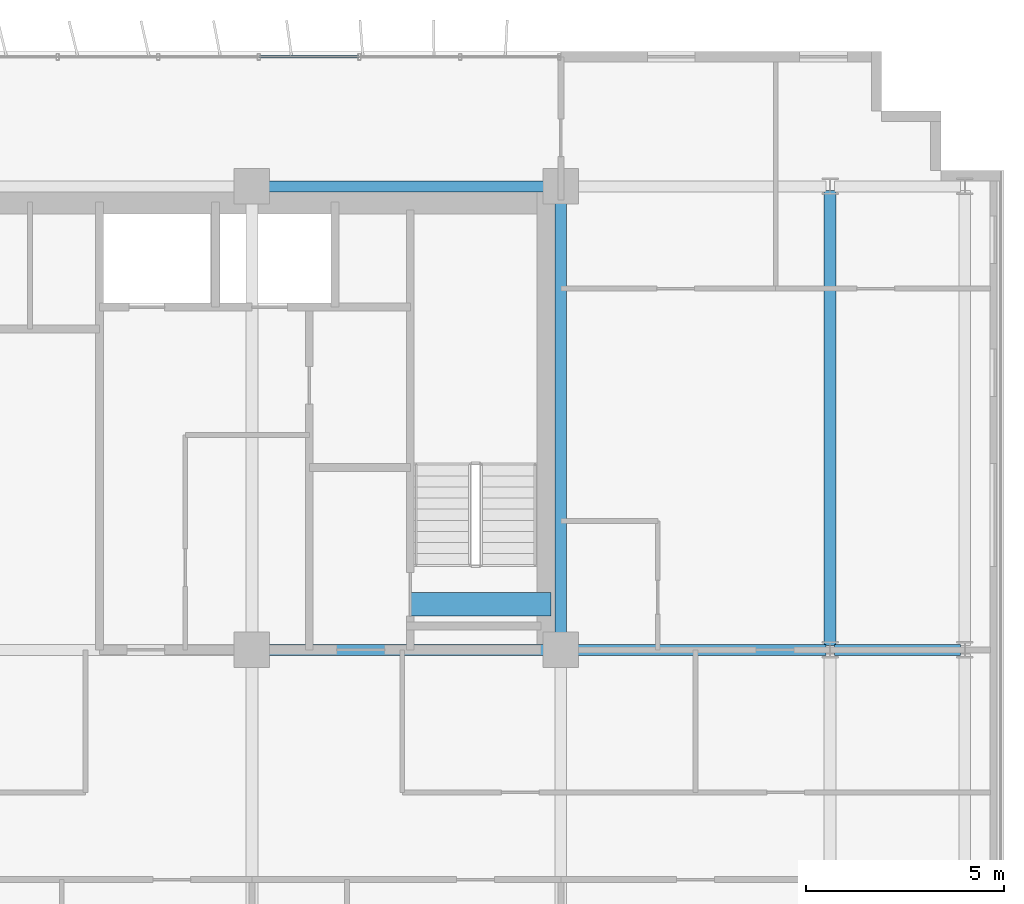
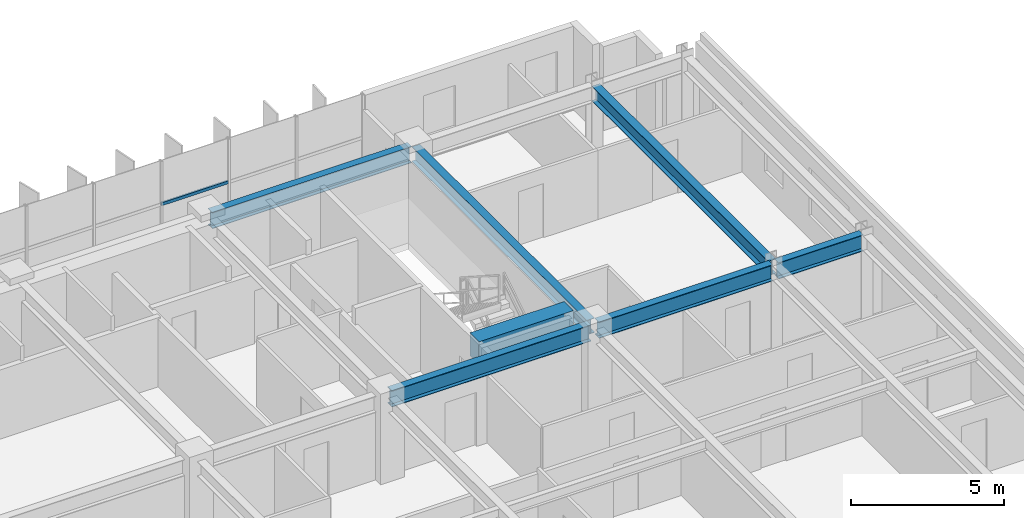
# One storey, part 11 of 24: 7 beams, 1 member, 1 element without a shape of its own.
"""IFC4 building model written with IfcOpenShell, lengths in metres."""

from ifc_helpers import new_model, si_unit, direction, frame, origin, origin_2d, place, context, subcontext, project, spatial, rectangle, hollow_rectangle, i_section, extrude, source, transform, mapped, material, material_profile, profile_set, type_object, element, aggregate, save


model = new_model("IFC4")

# Units and contexts
model_context = context("Model", 3, precision=1e-05, world=origin(), true_north=direction((0.0, 1.0)))
body_context = subcontext(model_context, "Body", "Model", "MODEL_VIEW")
ifc_project = project(units=[si_unit("LENGTHUNIT", "METRE"), si_unit("AREAUNIT", "SQUARE_METRE"), si_unit("VOLUMEUNIT", "CUBIC_METRE"), si_unit("PLANEANGLEUNIT", "RADIAN"), si_unit("MASSUNIT", "GRAM", prefix="KILO")], contexts=[model_context])

# Site, building, storey
site_placement = place(None, origin())
site = spatial("IfcSite", under=ifc_project, at=site_placement, CompositionType="ELEMENT")
building_placement = place(site_placement, origin())
building = spatial("IfcBuilding", under=site, at=building_placement, Name="Trelvane Seafront Commons", CompositionType="ELEMENT")
storey_placement = place(building_placement, frame((0.0, 0.0, 27.10009765625)))
storey = spatial("IfcBuildingStorey", under=building, at=storey_placement, Name="L06", CompositionType="ELEMENT", Elevation=27.10009765625)

# Beams
ifc_material_1 = material(Name="Concrete C60/75", Category="concrete")
ifc_material_profile_1 = material_profile(ifc_material_1, rectangle(XDim=0.60009765625, YDim=0.89990234375, at=origin_2d()), Name="RC-600x900")
ifc_profile_set_1 = profile_set([ifc_material_profile_1], Name="Concrete C60/75")
beam_type_1 = type_object("IfcBeamType", Name="STR-LNT-RC600x900", PredefinedType="LINTEL", material=ifc_profile_set_1)
shared_shape_1 = source(origin(), body_context, "Body", "SweptSolid", [
    extrude(rectangle(XDim=0.60009765625, YDim=0.89990234375, at=origin_2d()), origin(), (0.0, 0.0, 1.0), 3.550048828125),
])
beam_1_placement = place(storey_placement, frame((55.0, 34.550048828125, 2.889892578125), z_axis=(1.0, 0.0, 0.0), x_axis=(0.0, 1.0, 0.0)))
element("IfcBeam", 1, at=beam_1_placement, inside=storey, type_object=beam_type_1, Name="L06 Core Coupling Lintel Beam CB-86", PredefinedType="LINTEL", context=body_context, shape_type="MappedRepresentation", body=[
    mapped(shared_shape_1, transform((0.0, 0.0, 0.0), x_axis=(1.0, 0.0, 0.0), y_axis=(0.0, 1.0, 0.0), z_axis=(0.0, 0.0, 1.0), scale=1.0)),
])
ifc_material_2 = material(Name="Steel SM355 (S355)", Category="steel")
ifc_material_profile_2 = material_profile(ifc_material_2, i_section(OverallWidth=0.280029296875, OverallDepth=0.64990234375, WebThickness=0.012939453125, FlangeThickness=0.02197265625, at=origin_2d()), Name="H-650x280x13x22")
ifc_profile_set_2 = profile_set([ifc_material_profile_2], Name="Steel SM355 (S355)")
beam_type_2 = type_object("IfcBeamType", Name="STR-BM-H650", PredefinedType="BEAM", material=ifc_profile_set_2)
shared_shape_2 = source(origin(), body_context, "Body", "SweptSolid", [
    extrude(i_section(OverallWidth=0.280029296875, OverallDepth=0.64990234375, WebThickness=0.012939453125, FlangeThickness=0.02197265625, at=origin_2d()), origin(), (0.0, 0.0, 1.0), 3.18994140625),
])
beam_2_placement = place(storey_placement, frame((65.705078125, 33.39990234375, 3.014892578125), z_axis=(1.0, 0.0, 0.0), x_axis=(0.0, 1.0, 0.0)))
element("IfcBeam", 2, at=beam_2_placement, inside=storey, type_object=beam_type_2, Name="L06 Primary Girder G-27", PredefinedType="BEAM", context=body_context, shape_type="MappedRepresentation", body=[
    mapped(shared_shape_2, transform((0.0, 0.0, 0.0), x_axis=(1.0, 0.0, 0.0), y_axis=(0.0, 1.0, 0.0), z_axis=(0.0, 0.0, 1.0), scale=1.0)),
])
shared_shape_3 = source(origin(), body_context, "Body", "SweptSolid", [
    extrude(i_section(OverallWidth=0.280029296875, OverallDepth=0.64990234375, WebThickness=0.012939453125, FlangeThickness=0.02197265625, at=origin_2d()), origin(), (0.0, 0.0, 1.0), 6.545166015625),
])
beam_3_placement = place(storey_placement, frame((58.949951171875, 33.39990234375, 3.014892578125), z_axis=(1.0, 0.0, 0.0), x_axis=(0.0, 1.0, 0.0)))
element("IfcBeam", 3, at=beam_3_placement, inside=storey, type_object=beam_type_2, Name="L06 Primary Girder G-26", PredefinedType="BEAM", context=body_context, shape_type="MappedRepresentation", body=[
    mapped(shared_shape_3, transform((0.0, 0.0, 0.0), x_axis=(1.0, 0.0, 0.0), y_axis=(0.0, 1.0, 0.0), z_axis=(0.0, 0.0, 1.0), scale=1.0)),
])
shared_shape_4 = source(origin(), body_context, "Body", "SweptSolid", [
    extrude(i_section(OverallWidth=0.280029296875, OverallDepth=0.64990234375, WebThickness=0.012939453125, FlangeThickness=0.02197265625, at=origin_2d()), origin(), (0.0, 0.0, 1.0), 7.5),
])
for number, where, z_axis, x_axis, name in (
    (4, (51.14990234375, 33.39990234375, 3.014892578125), (1.0, 0.0, 0.0), (0.0, 1.0, 0.0), "L06 Primary Girder G-25"),
    (5, (51.14990234375, 45.10009765625, 3.014892578125), (1.0, 0.0, 0.0), (0.0, 1.0, 0.0), "L06 Primary Girder G-34"),
):
    element("IfcBeam", number, at=place(storey_placement, frame(where, z_axis=z_axis, x_axis=x_axis)), inside=storey, type_object=beam_type_2, Name=name, PredefinedType="BEAM", context=body_context, shape_type="MappedRepresentation", body=[
        mapped(shared_shape_4, transform((0.0, 0.0, 0.0), x_axis=(1.0, 0.0, 0.0), y_axis=(0.0, 1.0, 0.0), z_axis=(0.0, 0.0, 1.0), scale=1.0)),
    ])
ifc_material_profile_3 = material_profile(ifc_material_2, i_section(OverallWidth=0.300048828125, OverallDepth=0.587890625, WebThickness=0.011962890625, FlangeThickness=0.02001953125, at=origin_2d()), Name="H-588x300x12x20")
ifc_profile_set_3 = profile_set([ifc_material_profile_3], Name="Steel SM355 (S355)")
beam_type_3 = type_object("IfcBeamType", Name="STR-BM-H588", PredefinedType="BEAM", material=ifc_profile_set_3)
shared_shape_5 = source(origin(), body_context, "Body", "SweptSolid", [
    extrude(i_section(OverallWidth=0.300048828125, OverallDepth=0.587890625, WebThickness=0.011962890625, FlangeThickness=0.02001953125, at=origin_2d()), origin(), (0.0, 0.0, 1.0), 11.490234375),
])
beam_4_placement = place(storey_placement, frame((65.60009765625, 33.5048828125, 3.0458984375), z_axis=(0.0, 1.0, 0.0), x_axis=(-1.0, 0.0, 0.0)))
element("IfcBeam", 6, at=beam_4_placement, inside=storey, type_object=beam_type_3, Name="L06 Primary Girder G-63", PredefinedType="BEAM", context=body_context, shape_type="MappedRepresentation", body=[
    mapped(shared_shape_5, transform((0.0, 0.0, 0.0), x_axis=(1.0, 0.0, 0.0), y_axis=(0.0, 1.0, 0.0), z_axis=(0.0, 0.0, 1.0), scale=1.0)),
])
shared_shape_6 = source(origin(), body_context, "Body", "SweptSolid", [
    extrude(i_section(OverallWidth=0.300048828125, OverallDepth=0.587890625, WebThickness=0.011962890625, FlangeThickness=0.02001953125, at=origin_2d()), origin(), (0.0, 0.0, 1.0), 11.39990234375),
])
beam_5_placement = place(storey_placement, frame((58.800048828125, 33.550048828125, 3.0458984375), z_axis=(0.0, 1.0, 0.0), x_axis=(-1.0, 0.0, 0.0)))
element("IfcBeam", 7, at=beam_5_placement, inside=storey, type_object=beam_type_3, Name="L06 Primary Girder G-60", PredefinedType="BEAM", context=body_context, shape_type="MappedRepresentation", body=[
    mapped(shared_shape_6, transform((0.0, 0.0, 0.0), x_axis=(1.0, 0.0, 0.0), y_axis=(0.0, 1.0, 0.0), z_axis=(0.0, 0.0, 1.0), scale=1.0)),
])

# Curtain wall, member
ifc_material_3 = material(Name="Anodised pale-silver aluminium", Category="aluminium")
curtain_wall_type = type_object("IfcCurtainWallType", Name="ARCH-CW2-LOWTOWER", PredefinedType="NOTDEFINED", material=ifc_material_3)
curtain_wall_placement = place(storey_placement, origin())
curtain_wall = element("IfcCurtainWall", 8, at=curtain_wall_placement, inside=storey, type_object=curtain_wall_type, Name="CW-L06-0030", PredefinedType="NOTDEFINED")
ifc_material_profile_4 = material_profile(ifc_material_3, hollow_rectangle(XDim=0.070068359375, YDim=0.1201171875, WallThickness=0.00390625, at=origin_2d()), Name="TRAN-70x120x4")
ifc_profile_set_4 = profile_set([ifc_material_profile_4], Name="Anodised pale-silver aluminium")
member_type = type_object("IfcMemberType", Name="ARCH-CW-TRAN-120", PredefinedType="USERDEFINED", material=ifc_profile_set_4)
shared_shape_7 = source(origin(), body_context, "Body", "SweptSolid", [
    extrude(hollow_rectangle(XDim=0.070068359375, YDim=0.1201171875, WallThickness=0.00390625, at=origin_2d()), origin(), (0.0, 0.0, 1.0), 2.51708984375),
])
member_placement = place(storey_placement, frame((51.1884765625, 48.3701171875, 1.602783203125), z_axis=(1.0, 0.0, 0.0), x_axis=(0.0, 1.0, 0.0)))
member = element("IfcMember", 9, at=member_placement, type_object=member_type, Name="CW-L06-0030-T14", ObjectType="TRANSOM", PredefinedType="USERDEFINED", context=body_context, shape_type="MappedRepresentation", body=[
    mapped(shared_shape_7, transform((0.0, 0.0, 0.0), x_axis=(1.0, 0.0, 0.0), y_axis=(0.0, 1.0, 0.0), z_axis=(0.0, 0.0, 1.0), scale=1.0)),
])
aggregate(curtain_wall, [member])

save(model, "model.ifc")
